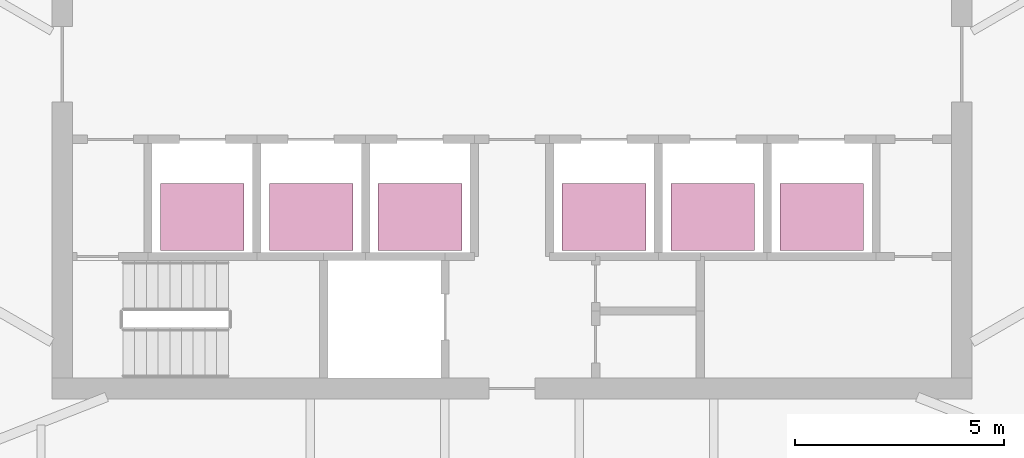
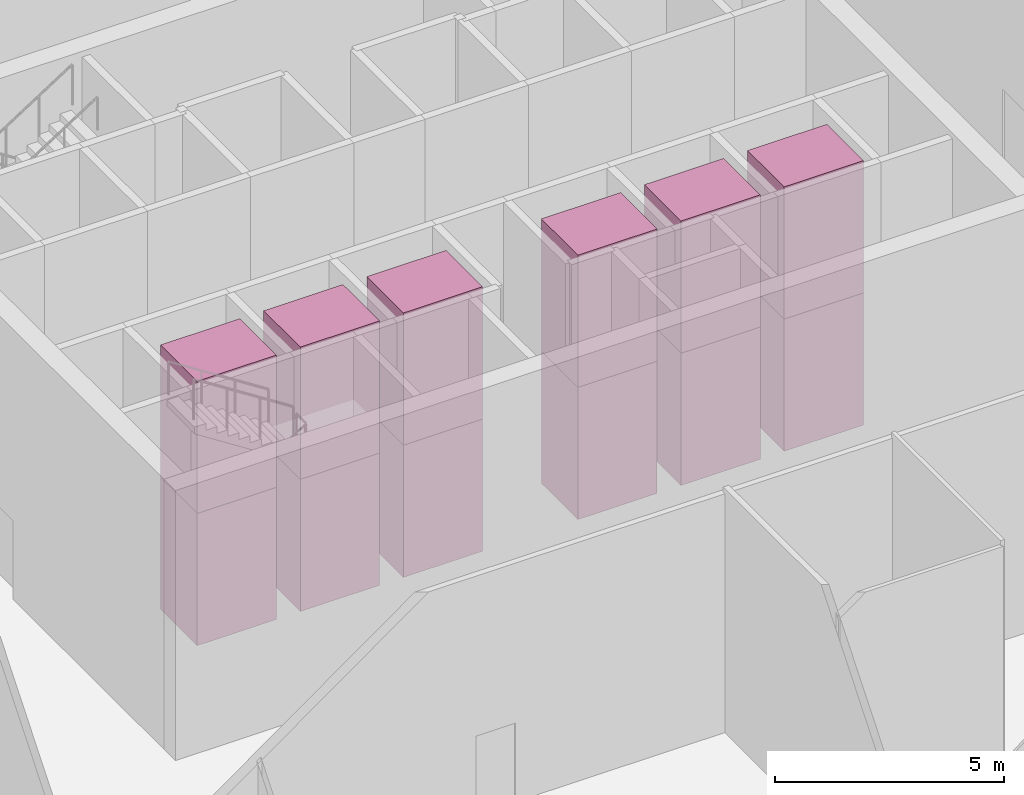
# One storey, part 15 of 15: 12 transport elements.
"""IFC4 building model written with IfcOpenShell, lengths in metres."""

import ifcopenshell
import ifcopenshell.guid

model = None  # the IFC model being written
_history = None  # IfcOwnerHistory: only IFC2X3 demands one
_inside = {}  # id of a spatial element -> (the spatial element, [elements in it])
_under = {}  # id of a project, library or spatial element -> (it, [spatial elements below it])
_declared = {}  # id of a project -> (the project, [libraries it declares])
_typed = {}  # id of a type object -> (the type object, [elements of that type])
_made_of = {}  # id of a material, layer set ... -> (it, [elements and type objects made of it])


def new_model(schema):
    """Start an empty IFC model of exactly this schema.

    Asked for "IFC4X3", IfcOpenShell would pick the latest addendum, in which some entities
    have other attributes; the version numbers below select the first issue.
    IFC2X3 requires an IfcOwnerHistory on every rooted entity: one is made here for all.
    """
    global model, _history
    if schema == "IFC4X3":
        model = ifcopenshell.file(schema_version=(4, 3, 0, 0))
    else:
        model = ifcopenshell.file(schema=schema)
    _inside.clear()
    _under.clear()
    _declared.clear()
    _typed.clear()
    _made_of.clear()
    _history = None
    if model.schema == "IFC2X3":
        org = make("IfcOrganization", Name="unknown")
        user = make(
            "IfcPersonAndOrganization",
            ThePerson=make("IfcPerson", FamilyName="unknown"),
            TheOrganization=org,
        )
        app = make(
            "IfcApplication",
            ApplicationDeveloper=org,
            Version="unknown",
            ApplicationFullName="unknown",
            ApplicationIdentifier="unknown",
        )
        _history = make(
            "IfcOwnerHistory",
            OwningUser=user,
            OwningApplication=app,
            ChangeAction="ADDED",
            CreationDate=0,
        )
    return model


def make(cls, **values):
    """One entity of the class cls with the attributes given. An attribute that is None is left unset."""
    return model.create_entity(
        cls, **{name: value for name, value in values.items() if value is not None}
    )


def rooted(cls, **values):
    """An entity with a GlobalId (a new one), such as an element, a storey or a relation."""
    return make(cls, GlobalId=ifcopenshell.guid.new(), OwnerHistory=_history, **values)


def si_unit(unit_type, name, prefix=None):
    """IfcSIUnit, for example si_unit("LENGTHUNIT", "METRE", prefix="MILLI")."""
    return make("IfcSIUnit", UnitType=unit_type, Prefix=prefix, Name=name)


def assignment(units):
    """IfcUnitAssignment: the units of a project."""
    return None if units is None else make("IfcUnitAssignment", Units=units)


def point(xyz):
    """IfcCartesianPoint."""
    return None if xyz is None else make("IfcCartesianPoint", Coordinates=xyz)


def direction(xyz):
    """IfcDirection."""
    return None if xyz is None else make("IfcDirection", DirectionRatios=xyz)


def frame(location, z_axis=None, x_axis=None):
    """IfcAxis2Placement3D, a coordinate frame: its origin and axes. An axis left out is left unset."""
    return make(
        "IfcAxis2Placement3D",
        Location=point(location),
        Axis=direction(z_axis),
        RefDirection=direction(x_axis),
    )


def frame_2d(location, x_axis=None):
    """IfcAxis2Placement2D, a coordinate frame in the plane: its origin and x axis."""
    return make(
        "IfcAxis2Placement2D", Location=point(location), RefDirection=direction(x_axis)
    )


def origin():
    """The frame at (0, 0, 0) with its axes left unset."""
    return frame((0.0, 0.0, 0.0))


def origin_2d():
    """The frame at (0, 0) in the plane with its x axis left unset."""
    return frame_2d((0.0, 0.0))


def place(relative_to, where):
    """IfcLocalPlacement: puts the frame where relative to a parent placement (None: the world)."""
    return make(
        "IfcLocalPlacement", PlacementRelTo=relative_to, RelativePlacement=where
    )


def context(
    kind, dimensions, precision=None, world=None, true_north=None, identifier=None
):
    """IfcGeometricRepresentationContext, for example the 3D "Model" context."""
    return make(
        "IfcGeometricRepresentationContext",
        ContextIdentifier=identifier,
        ContextType=kind,
        CoordinateSpaceDimension=dimensions,
        Precision=precision,
        WorldCoordinateSystem=world,
        TrueNorth=true_north,
    )


def subcontext(parent, identifier, kind, view, scale=None):
    """IfcGeometricRepresentationSubContext, for example "Body" below "Model"."""
    return make(
        "IfcGeometricRepresentationSubContext",
        ContextIdentifier=identifier,
        ContextType=kind,
        ParentContext=parent,
        TargetScale=scale,
        TargetView=view,
    )


def project(units=None, contexts=None):
    """IfcProject with its units and contexts."""
    return rooted(
        "IfcProject",
        Name="project",
        RepresentationContexts=contexts,
        UnitsInContext=assignment(units),
    )


def spatial(cls, under=None, at=None, **own):
    """A site, building, storey or space (cls), placed at a placement, below another one or the project."""
    s = rooted(cls, ObjectPlacement=at, **own)
    if under is not None:
        _under.setdefault(under.id(), (under, []))[1].append(s)
    return s


def profile(cls, at=None, kind="AREA", **sizes):
    """A parametric profile (cls). Its sizes go by their IFC names, for example OverallWidth=200.0."""
    return make(cls, ProfileType=kind, Position=at, **sizes)


def rectangle(**sizes):
    """IfcRectangleProfileDef."""
    return profile("IfcRectangleProfileDef", **sizes)


def extrude(swept, where, along, depth):
    """IfcExtrudedAreaSolid: the profile swept, set in the frame where, extruded along a direction by depth."""
    return make(
        "IfcExtrudedAreaSolid",
        SweptArea=swept,
        Position=where,
        ExtrudedDirection=direction(along),
        Depth=depth,
    )


def shape(context_of_items, identifier, shape_type, items):
    """IfcShapeRepresentation: the items that make up one representation, for example the "Body"."""
    return make(
        "IfcShapeRepresentation",
        ContextOfItems=context_of_items,
        RepresentationIdentifier=identifier,
        RepresentationType=shape_type,
        Items=items,
    )


def material(Name=None, Category=None):
    """IfcMaterial."""
    return make("IfcMaterial", Name=Name, Category=Category)


def made_of(thing, what):
    """Note that an element or type object is made of a material, layer set ...; save() writes the relation."""
    if what is not None:
        _made_of.setdefault(what.id(), (what, []))[1].append(thing)
    return thing


def type_object(cls, material=None, **own):
    """A type object (cls), such as IfcWallType, which elements share."""
    return made_of(rooted(cls, **own), material)


def element(
    cls,
    number,
    at=None,
    inside=None,
    cuts=None,
    type_object=None,
    material=None,
    context=None,
    identifier="Body",
    shape_type=None,
    held_by="IfcProductDefinitionShape",
    body=None,
    shapes=None,
    **own,
):
    """One element of the class cls, such as IfcWall. Its Tag is "e" and its number.

    at: its placement. inside: the storey or other place that contains it. cuts: it is an
    opening in that element (IfcRelVoidsElement). A single representation is given by context,
    identifier, shape_type and body (its items); several are given by shapes. held_by: the class
    of the entity that holds the representations. save() writes the other relations.
    """
    e = rooted(cls, Tag="e%d" % number, ObjectPlacement=at, **own)
    if body is not None:
        shapes = [shape(context, identifier, shape_type, body)]
    if shapes is not None:
        e.Representation = make(held_by, Representations=shapes)
    if inside is not None:
        _inside.setdefault(inside.id(), (inside, []))[1].append(e)
    if cuts is not None:
        rooted(
            "IfcRelVoidsElement", RelatingBuildingElement=cuts, RelatedOpeningElement=e
        )
    if type_object is not None:
        _typed.setdefault(type_object.id(), (type_object, []))[1].append(e)
    return made_of(e, material)


def aggregate(whole, parts):
    """IfcRelAggregates: a whole, such as a stair, and the parts it consists of."""
    return rooted("IfcRelAggregates", RelatingObject=whole, RelatedObjects=parts)


def save(model, path):
    """Write the relations noted so far, then the file.

    IfcRelAggregates (storeys below a building ...), IfcRelContainedInSpatialStructure (elements
    in a storey), IfcRelDefinesByType, IfcRelAssociatesMaterial and IfcRelDeclares: one each for
    every whole, place, type object, material and project.
    """
    for whole, parts in _under.values():
        aggregate(whole, parts)
    for where, things in _inside.values():
        rooted(
            "IfcRelContainedInSpatialStructure",
            RelatedElements=things,
            RelatingStructure=where,
        )
    for kind, things in _typed.values():
        rooted("IfcRelDefinesByType", RelatedObjects=things, RelatingType=kind)
    for what, things in _made_of.values():
        rooted("IfcRelAssociatesMaterial", RelatedObjects=things, RelatingMaterial=what)
    for by, libraries in _declared.values():
        rooted("IfcRelDeclares", RelatingContext=by, RelatedDefinitions=libraries)
    model.write(path)


model = new_model("IFC4")

# Units and contexts
model_context = context("Model", 3, precision=1e-05, world=origin(), true_north=direction((0.0, 1.0)))
body_context = subcontext(model_context, "Body", "Model", "MODEL_VIEW")
ifc_project = project(units=[si_unit("LENGTHUNIT", "METRE"), si_unit("AREAUNIT", "SQUARE_METRE"), si_unit("VOLUMEUNIT", "CUBIC_METRE"), si_unit("PLANEANGLEUNIT", "RADIAN"), si_unit("MASSUNIT", "GRAM", prefix="KILO")], contexts=[model_context])

# Site, building, storey
site_placement = place(None, origin())
site = spatial("IfcSite", under=ifc_project, at=site_placement, CompositionType="ELEMENT")
building_placement = place(site_placement, origin())
building = spatial("IfcBuilding", under=site, at=building_placement, Name="Sierra Prisma Convention Tower", CompositionType="ELEMENT")
storey_placement = place(building_placement, frame((0.0, 0.0, 219.800048828125)))
storey = spatial("IfcBuildingStorey", under=building, at=storey_placement, Name="L49", CompositionType="ELEMENT", Elevation=219.800048828125)

# Transport elements
ifc_material = material(Name="Stainless steel", Category="steel")
transport_element_type = type_object("IfcTransportElementType", Name="Lift car office high 2000x1600 1600 kg", PredefinedType="ELEVATOR", material=ifc_material)
for number, where, z_axis, x_axis, name in (
    (1, (-7.39990234375, -3.64990234375, 0.0), (0.0, 0.0, 1.0), (1.0, 0.0, 0.0), "Lift OH1"),
    (2, (-7.39990234375, -3.64990234375, 3.52490234375), (0.0, 0.0, 1.0), (1.0, 0.0, 0.0), "Lift OH1"),
    (3, (-4.800048828125, -3.64990234375, 0.0), (0.0, 0.0, 1.0), (1.0, 0.0, 0.0), "Lift OH2"),
    (4, (-4.800048828125, -3.64990234375, 3.52490234375), (0.0, 0.0, 1.0), (1.0, 0.0, 0.0), "Lift OH2"),
    (5, (-2.199951171875, -3.64990234375, 0.0), (0.0, 0.0, 1.0), (1.0, 0.0, 0.0), "Lift OH3"),
    (6, (-2.199951171875, -3.64990234375, 3.52490234375), (0.0, 0.0, 1.0), (1.0, 0.0, 0.0), "Lift OH3"),
    (7, (2.199951171875, -3.64990234375, 0.0), (0.0, 0.0, 1.0), (1.0, 0.0, 0.0), "Lift OH4"),
    (8, (2.199951171875, -3.64990234375, 3.52490234375), (0.0, 0.0, 1.0), (1.0, 0.0, 0.0), "Lift OH4"),
    (9, (4.800048828125, -3.64990234375, 0.0), (0.0, 0.0, 1.0), (1.0, 0.0, 0.0), "Lift OH5"),
    (10, (4.800048828125, -3.64990234375, 3.52490234375), (0.0, 0.0, 1.0), (1.0, 0.0, 0.0), "Lift OH5"),
    (11, (7.39990234375, -3.64990234375, 0.0), (0.0, 0.0, 1.0), (1.0, 0.0, 0.0), "Lift OH6"),
    (12, (7.39990234375, -3.64990234375, 3.52490234375), (0.0, 0.0, 1.0), (1.0, 0.0, 0.0), "Lift OH6"),
):
    element("IfcTransportElement", number, at=place(storey_placement, frame(where, z_axis=z_axis, x_axis=x_axis)), inside=storey, type_object=transport_element_type, Name=name, PredefinedType="ELEVATOR", context=body_context, shape_type="SweptSolid", body=[
        extrude(rectangle(XDim=2.0, YDim=1.60009765625, at=origin_2d()), origin(), (0.0, 0.0, 1.0), 3.52490234375),
    ])

save(model, "model.ifc")
